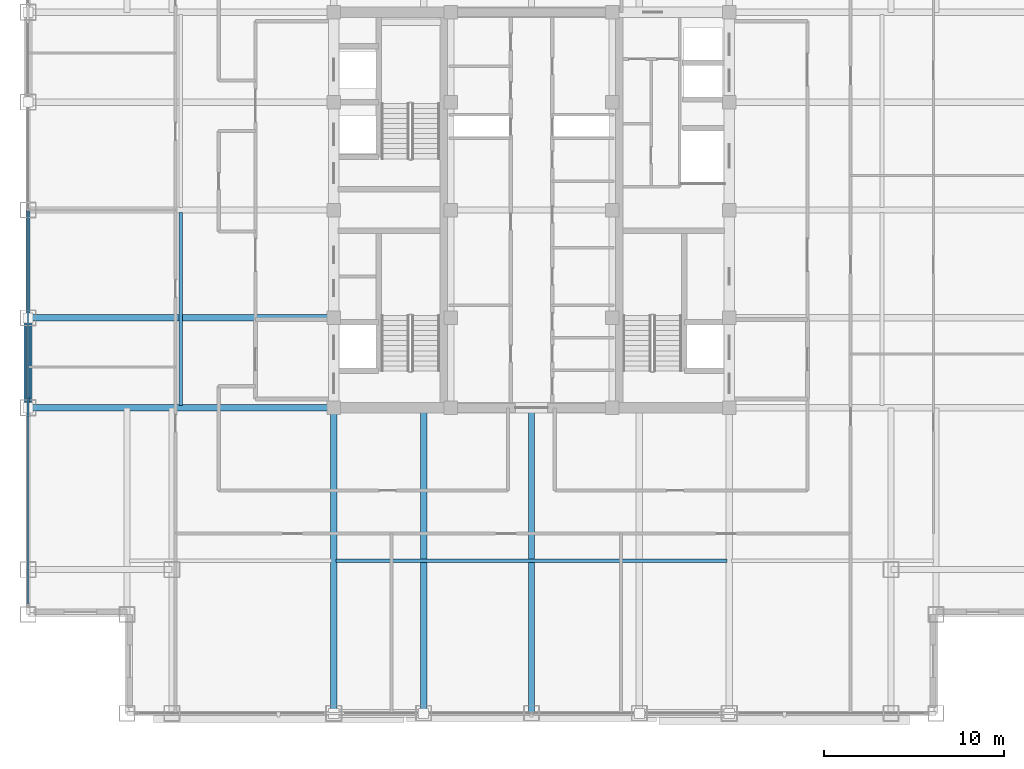
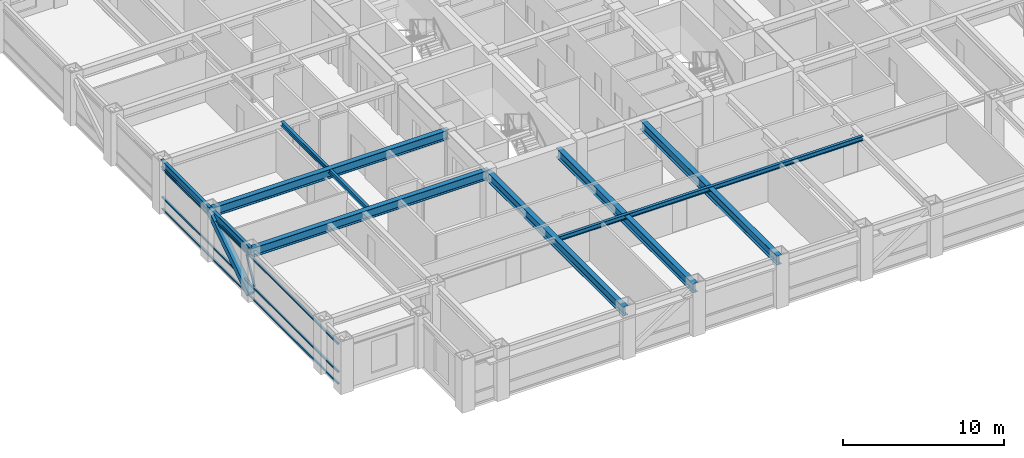
# One storey, part 5 of 27: 9 beams, 5 members, 1 element without a shape of its own.
"""IFC4 building model written with IfcOpenShell, lengths in metres."""

from ifc_helpers import new_model, si_unit, direction, frame, origin, origin_2d, place, context, subcontext, project, spatial, hollow_rectangle, i_section, extrude, source, transform, mapped, material, material_profile, profile_set, type_object, element, aggregate, save


model = new_model("IFC4")

# Units and contexts
model_context = context("Model", 3, precision=1e-05, world=origin(), true_north=direction((0.0, 1.0)))
body_context = subcontext(model_context, "Body", "Model", "MODEL_VIEW")
ifc_project = project(units=[si_unit("LENGTHUNIT", "METRE"), si_unit("AREAUNIT", "SQUARE_METRE"), si_unit("VOLUMEUNIT", "CUBIC_METRE"), si_unit("PLANEANGLEUNIT", "RADIAN"), si_unit("MASSUNIT", "GRAM", prefix="KILO")], contexts=[model_context])

# Site, building, storey
site_placement = place(None, origin())
site = spatial("IfcSite", under=ifc_project, at=site_placement, CompositionType="ELEMENT")
building_placement = place(site_placement, origin())
building = spatial("IfcBuilding", under=site, at=building_placement, Name="Khorayat Bourse Tower", CompositionType="ELEMENT")
storey_placement = place(building_placement, frame((0.0, 0.0, 317.5)))
storey = spatial("IfcBuildingStorey", under=building, at=storey_placement, Name="L75", CompositionType="ELEMENT", Elevation=317.5)

# Member
ifc_material_1 = material(Name="Steel EN 10025-4 S460M", Category="steel")
ifc_material_profile_1 = material_profile(ifc_material_1, hollow_rectangle(XDim=0.449951171875, YDim=0.449951171875, WallThickness=0.02490234375, at=origin_2d()), Name="HSS 450x450x25")
ifc_profile_set_1 = profile_set([ifc_material_profile_1], Name="Steel EN 10025-4 S460M")
member_type_1 = type_object("IfcMemberType", Name="MBR-TUBE-450", PredefinedType="BRACE", material=ifc_profile_set_1)
shared_shape_1 = source(origin(), body_context, "Body", "SweptSolid", [
    extrude(hollow_rectangle(XDim=0.449951171875, YDim=0.449951171875, WallThickness=0.02490234375, at=origin_2d()), origin(), (0.0, 0.0, 1.0), 5.979736328125),
])
member_1_placement = place(storey_placement, frame((-28.0, -11.0, 0.25), z_axis=(0.0, 0.836141536525, 0.548513747227), x_axis=(-1.0, 0.0, 0.0)))
element("IfcMember", 1, at=member_1_placement, inside=storey, type_object=member_type_1, Name="L75 Perimeter Tube Brace 05", PredefinedType="BRACE", context=body_context, shape_type="MappedRepresentation", body=[
    mapped(shared_shape_1, transform((0.0, 0.0, 0.0), scale=1.0)),
])

# Beams
ifc_material_2 = material(Name="Steel ASTM A992 Grade 50", Category="steel")
ifc_material_profile_2 = material_profile(ifc_material_2, i_section(OverallWidth=0.35498046875, OverallDepth=0.695068359375, WebThickness=0.015380859375, FlangeThickness=0.02490234375, FilletRadius=0.01806640625, at=origin_2d()), Name="W690X217")
ifc_profile_set_2 = profile_set([ifc_material_profile_2], Name="Steel ASTM A992 Grade 50")
beam_type_1 = type_object("IfcBeamType", Name="BM-GIRD-690", PredefinedType="BEAM", material=ifc_profile_set_2)
shared_shape_2 = source(origin(), body_context, "Body", "SweptSolid", [
    extrude(i_section(OverallWidth=0.35498046875, OverallDepth=0.695068359375, WebThickness=0.015380859375, FlangeThickness=0.02490234375, FilletRadius=0.01806640625, at=origin_2d()), origin(), (0.0, 0.0, 1.0), 17.0),
])
for number, where, z_axis, x_axis, name in (
    (2, (-11.0, -28.0, 3.3125), (0.0, 1.0, 0.0), (-1.0, 0.0, 0.0), "L75 BM-GIRD-690 BM-L75-RADY-065"),
    (3, (-6.0, -28.0, 3.3125), (0.0, 1.0, 0.0), (-1.0, 0.0, 0.0), "L75 BM-GIRD-690 BM-L75-RADY-067"),
    (4, (0.0, -28.0, 3.3125), (0.0, 1.0, 0.0), (-1.0, 0.0, 0.0), "L75 BM-GIRD-690 BM-L75-RADY-069"),
    (5, (-28.0, -11.0, 3.4326171875), (1.0, 0.0, 0.0), (0.0, 1.0, 0.0), "L75 BM-GIRD-690 BM-L75-RADX-075"),
    (6, (-28.0, -6.0, 3.4326171875), (1.0, 0.0, 0.0), (0.0, 1.0, 0.0), "L75 BM-GIRD-690 BM-L75-RADX-077"),
):
    element("IfcBeam", number, at=place(storey_placement, frame(where, z_axis=z_axis, x_axis=x_axis)), inside=storey, type_object=beam_type_1, Name=name, PredefinedType="BEAM", context=body_context, shape_type="MappedRepresentation", body=[
        mapped(shared_shape_2, transform((0.0, 0.0, 0.0), scale=1.0)),
    ])
ifc_material_profile_3 = material_profile(ifc_material_2, i_section(OverallWidth=0.202880859375, OverallDepth=0.346923828125, WebThickness=0.0078125, FlangeThickness=0.013427734375, FilletRadius=0.010009765625, at=origin_2d()), Name="W360X64")
ifc_profile_set_3 = profile_set([ifc_material_profile_3], Name="Steel ASTM A992 Grade 50")
beam_type_2 = type_object("IfcBeamType", Name="BM-JOIST-360", PredefinedType="JOIST", material=ifc_profile_set_3)
shared_shape_3 = source(origin(), body_context, "Body", "SweptSolid", [
    extrude(i_section(OverallWidth=0.202880859375, OverallDepth=0.346923828125, WebThickness=0.0078125, FlangeThickness=0.013427734375, FilletRadius=0.010009765625, at=origin_2d()), origin(), (0.0, 0.0, 1.0), 21.740234375),
])
beam_1_placement = place(storey_placement, frame((-10.8701171875, -19.5, 3.6064453125), z_axis=(1.0, 0.0, 0.0), x_axis=(0.0, 1.0, 0.0)))
element("IfcBeam", 7, at=beam_1_placement, inside=storey, type_object=beam_type_2, Name="L75 BM-JOIST-360 BM-L75-JSTX-097", PredefinedType="JOIST", context=body_context, shape_type="MappedRepresentation", body=[
    mapped(shared_shape_3, transform((0.0, 0.0, 0.0), scale=1.0)),
])
shared_shape_4 = source(origin(), body_context, "Body", "SweptSolid", [
    extrude(i_section(OverallWidth=0.202880859375, OverallDepth=0.346923828125, WebThickness=0.0078125, FlangeThickness=0.013427734375, FilletRadius=0.010009765625, at=origin_2d()), origin(), (0.0, 0.0, 1.0), 10.740234375),
])
beam_2_placement = place(storey_placement, frame((-19.5, -10.8701171875, 3.6064453125), z_axis=(0.0, 1.0, 0.0), x_axis=(-1.0, 0.0, 0.0)))
element("IfcBeam", 8, at=beam_2_placement, inside=storey, type_object=beam_type_2, Name="L75 BM-JOIST-360 BM-L75-JSTY-102", PredefinedType="JOIST", context=body_context, shape_type="MappedRepresentation", body=[
    mapped(shared_shape_4, transform((0.0, 0.0, 0.0), scale=1.0)),
])
ifc_material_profile_4 = material_profile(ifc_material_2, i_section(OverallWidth=0.214111328125, OverallDepth=0.549072265625, WebThickness=0.0146484375, FlangeThickness=0.023681640625, FilletRadius=0.013916015625, at=origin_2d()), Name="W530X138")
ifc_profile_set_4 = profile_set([ifc_material_profile_4], Name="Steel ASTM A992 Grade 50")
beam_type_3 = type_object("IfcBeamType", Name="BM-SPAN-530", PredefinedType="SPANDREL", material=ifc_profile_set_4)
shared_shape_5 = source(origin(), body_context, "Body", "SweptSolid", [
    extrude(i_section(OverallWidth=0.214111328125, OverallDepth=0.549072265625, WebThickness=0.0146484375, FlangeThickness=0.023681640625, FilletRadius=0.013916015625, at=origin_2d()), origin(), (0.0, 0.0, 1.0), 5.0),
])
beam_3_placement = place(storey_placement, frame((-28.0, -11.0, 3.505615234375), z_axis=(0.0, 1.0, 0.0), x_axis=(-1.0, 0.0, 0.0)))
element("IfcBeam", 9, at=beam_3_placement, inside=storey, type_object=beam_type_3, Name="L75 BM-SPAN-530 BM-L75-SPN-059", PredefinedType="SPANDREL", context=body_context, shape_type="MappedRepresentation", body=[
    mapped(shared_shape_5, transform((0.0, 0.0, 0.0), scale=1.0)),
])
shared_shape_6 = source(origin(), body_context, "Body", "SweptSolid", [
    extrude(i_section(OverallWidth=0.214111328125, OverallDepth=0.549072265625, WebThickness=0.0146484375, FlangeThickness=0.023681640625, FilletRadius=0.013916015625, at=origin_2d()), origin(), (0.0, 0.0, 1.0), 6.0),
])
beam_4_placement = place(storey_placement, frame((-28.0, -6.0, 3.505615234375), z_axis=(0.0, 1.0, 0.0), x_axis=(-1.0, 0.0, 0.0)))
element("IfcBeam", 10, at=beam_4_placement, inside=storey, type_object=beam_type_3, Name="L75 BM-SPAN-530 BM-L75-SPN-058", PredefinedType="SPANDREL", context=body_context, shape_type="MappedRepresentation", body=[
    mapped(shared_shape_6, transform((0.0, 0.0, 0.0), scale=1.0)),
])

# Curtain wall, members
ifc_material_3 = material(Name="Aluminium EN AW-6063 T6", Category="aluminium")
curtain_wall_type = type_object("IfcCurtainWallType", Name="CW-SYS-04", PredefinedType="NOTDEFINED", material=ifc_material_3)
curtain_wall_placement = place(storey_placement, origin())
curtain_wall = element("IfcCurtainWall", 11, at=curtain_wall_placement, inside=storey, type_object=curtain_wall_type, Name="L75 Curtain Wall CW-L75-W1", PredefinedType="NOTDEFINED")
ifc_material_profile_5 = material_profile(ifc_material_3, hollow_rectangle(XDim=0.1201171875, YDim=0.1201171875, WallThickness=0.0048828125, at=origin_2d()), Name="ALU 120x120x5")
ifc_profile_set_5 = profile_set([ifc_material_profile_5], Name="Aluminium EN AW-6063 T6")
member_type_2 = type_object("IfcMemberType", Name="CWM-DIAG-120", PredefinedType="MULLION", material=ifc_profile_set_5)
shared_shape_7 = source(origin(), body_context, "Body", "SweptSolid", [
    extrude(hollow_rectangle(XDim=0.1201171875, YDim=0.1201171875, WallThickness=0.0048828125, at=origin_2d()), origin(), (0.0, 0.0, 1.0), 2.0791015625),
])
member_2_placement = place(storey_placement, frame((-28.0, -11.4541015625, 1.090087890625), z_axis=(0.0, 0.465717394116, 0.884933505309), x_axis=(-1.0, 0.0, 0.0)))
member_2 = element("IfcMember", 12, at=member_2_placement, type_object=member_type_2, Name="CW-L75-W1 Faceted Diagonal Mullion 1", PredefinedType="MULLION", context=body_context, shape_type="MappedRepresentation", body=[
    mapped(shared_shape_7, transform((0.0, 0.0, 0.0), scale=1.0)),
])
ifc_material_profile_6 = material_profile(ifc_material_3, hollow_rectangle(XDim=0.1201171875, YDim=0.1201171875, WallThickness=0.0048828125, at=origin_2d()), Name="ALU 120x120x5")
ifc_profile_set_6 = profile_set([ifc_material_profile_6], Name="Aluminium EN AW-6063 T6")
member_type_3 = type_object("IfcMemberType", Name="CWT-HORZ-120", PredefinedType="USERDEFINED", material=ifc_profile_set_6)
shared_shape_8 = source(origin(), body_context, "Body", "SweptSolid", [
    extrude(hollow_rectangle(XDim=0.1201171875, YDim=0.1201171875, WallThickness=0.0048828125, at=origin_2d()), origin(), (0.0, 0.0, 1.0), 21.81982421875),
])
member_3_placement = place(storey_placement, frame((-28.0, -21.8798828125, 0.06005859375), z_axis=(0.0, 1.0, 0.0), x_axis=(-1.0, 0.0, 0.0)))
member_3 = element("IfcMember", 13, at=member_3_placement, type_object=member_type_3, Name="CW-L75-W1 Horizontal Transom 1-1", ObjectType="TRANSOM", PredefinedType="USERDEFINED", context=body_context, shape_type="MappedRepresentation", body=[
    mapped(shared_shape_8, transform((0.0, 0.0, 0.0), scale=1.0)),
])
member_4_placement = place(storey_placement, frame((-28.0, -21.8798828125, 0.949951171875), z_axis=(0.0, 1.0, 0.0), x_axis=(-1.0, 0.0, 0.0)))
member_4 = element("IfcMember", 14, at=member_4_placement, type_object=member_type_3, Name="CW-L75-W1 Horizontal Transom 1-2", ObjectType="TRANSOM", PredefinedType="USERDEFINED", context=body_context, shape_type="MappedRepresentation", body=[
    mapped(shared_shape_8, transform((0.0, 0.0, 0.0), scale=1.0)),
])
member_5_placement = place(storey_placement, frame((-28.0, -21.8798828125, 3.070068359375), z_axis=(0.0, 1.0, 0.0), x_axis=(-1.0, 0.0, 0.0)))
member_5 = element("IfcMember", 15, at=member_5_placement, type_object=member_type_3, Name="CW-L75-W1 Horizontal Transom 1-3", ObjectType="TRANSOM", PredefinedType="USERDEFINED", context=body_context, shape_type="MappedRepresentation", body=[
    mapped(shared_shape_8, transform((0.0, 0.0, 0.0), scale=1.0)),
])
aggregate(curtain_wall, [member_3, member_4, member_5, member_2])

save(model, "model.ifc")
